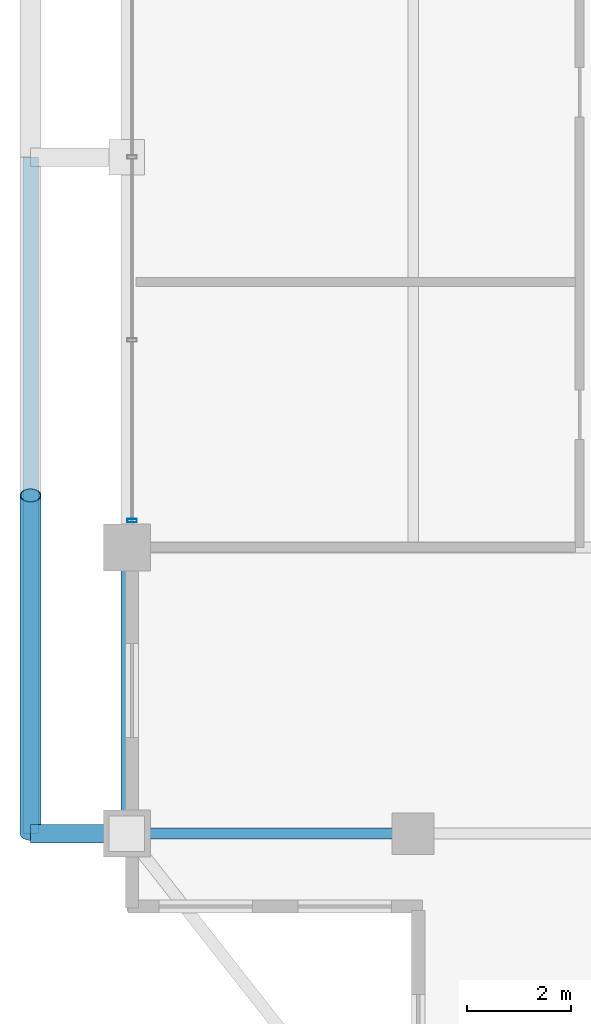
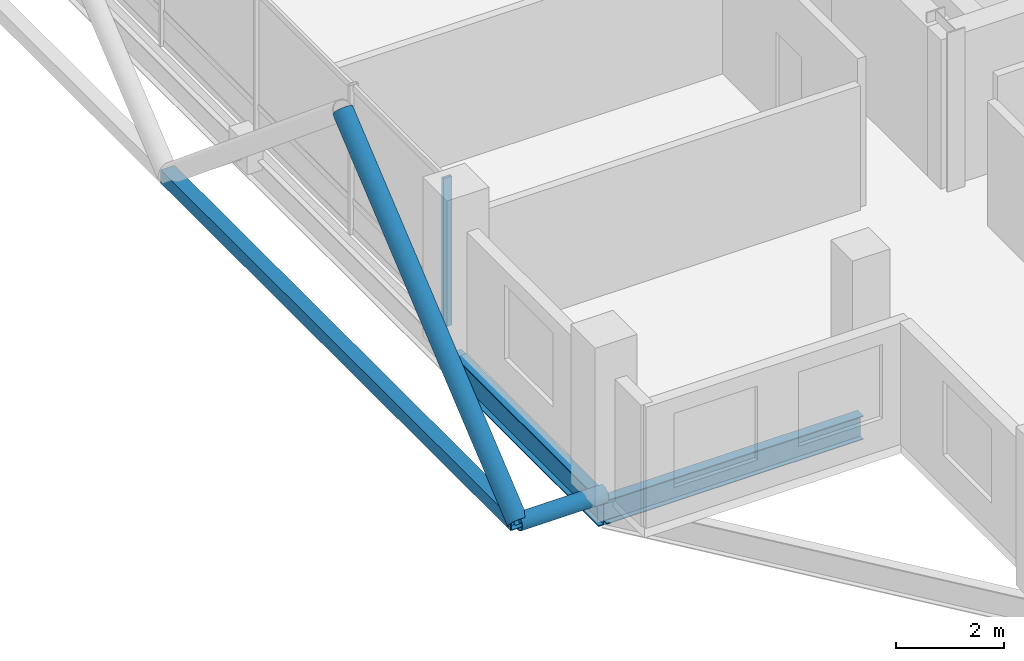
# One storey, part 3 of 24: 4 members, 2 beams, 1 element without a shape of its own.
"""IFC4 building model written with IfcOpenShell, lengths in metres."""

import ifcopenshell
import ifcopenshell.guid

model = None  # the IFC model being written
_history = None  # IfcOwnerHistory: only IFC2X3 demands one
_inside = {}  # id of a spatial element -> (the spatial element, [elements in it])
_under = {}  # id of a project, library or spatial element -> (it, [spatial elements below it])
_declared = {}  # id of a project -> (the project, [libraries it declares])
_typed = {}  # id of a type object -> (the type object, [elements of that type])
_made_of = {}  # id of a material, layer set ... -> (it, [elements and type objects made of it])


def new_model(schema):
    """Start an empty IFC model of exactly this schema.

    Asked for "IFC4X3", IfcOpenShell would pick the latest addendum, in which some entities
    have other attributes; the version numbers below select the first issue.
    IFC2X3 requires an IfcOwnerHistory on every rooted entity: one is made here for all.
    """
    global model, _history
    if schema == "IFC4X3":
        model = ifcopenshell.file(schema_version=(4, 3, 0, 0))
    else:
        model = ifcopenshell.file(schema=schema)
    _inside.clear()
    _under.clear()
    _declared.clear()
    _typed.clear()
    _made_of.clear()
    _history = None
    if model.schema == "IFC2X3":
        org = make("IfcOrganization", Name="unknown")
        user = make(
            "IfcPersonAndOrganization",
            ThePerson=make("IfcPerson", FamilyName="unknown"),
            TheOrganization=org,
        )
        app = make(
            "IfcApplication",
            ApplicationDeveloper=org,
            Version="unknown",
            ApplicationFullName="unknown",
            ApplicationIdentifier="unknown",
        )
        _history = make(
            "IfcOwnerHistory",
            OwningUser=user,
            OwningApplication=app,
            ChangeAction="ADDED",
            CreationDate=0,
        )
    return model


def make(cls, **values):
    """One entity of the class cls with the attributes given. An attribute that is None is left unset."""
    return model.create_entity(
        cls, **{name: value for name, value in values.items() if value is not None}
    )


def rooted(cls, **values):
    """An entity with a GlobalId (a new one), such as an element, a storey or a relation."""
    return make(cls, GlobalId=ifcopenshell.guid.new(), OwnerHistory=_history, **values)


def si_unit(unit_type, name, prefix=None):
    """IfcSIUnit, for example si_unit("LENGTHUNIT", "METRE", prefix="MILLI")."""
    return make("IfcSIUnit", UnitType=unit_type, Prefix=prefix, Name=name)


def assignment(units):
    """IfcUnitAssignment: the units of a project."""
    return None if units is None else make("IfcUnitAssignment", Units=units)


def point(xyz):
    """IfcCartesianPoint."""
    return None if xyz is None else make("IfcCartesianPoint", Coordinates=xyz)


def direction(xyz):
    """IfcDirection."""
    return None if xyz is None else make("IfcDirection", DirectionRatios=xyz)


def frame(location, z_axis=None, x_axis=None):
    """IfcAxis2Placement3D, a coordinate frame: its origin and axes. An axis left out is left unset."""
    return make(
        "IfcAxis2Placement3D",
        Location=point(location),
        Axis=direction(z_axis),
        RefDirection=direction(x_axis),
    )


def frame_2d(location, x_axis=None):
    """IfcAxis2Placement2D, a coordinate frame in the plane: its origin and x axis."""
    return make(
        "IfcAxis2Placement2D", Location=point(location), RefDirection=direction(x_axis)
    )


def origin():
    """The frame at (0, 0, 0) with its axes left unset."""
    return frame((0.0, 0.0, 0.0))


def origin_2d():
    """The frame at (0, 0) in the plane with its x axis left unset."""
    return frame_2d((0.0, 0.0))


def place(relative_to, where):
    """IfcLocalPlacement: puts the frame where relative to a parent placement (None: the world)."""
    return make(
        "IfcLocalPlacement", PlacementRelTo=relative_to, RelativePlacement=where
    )


def context(
    kind, dimensions, precision=None, world=None, true_north=None, identifier=None
):
    """IfcGeometricRepresentationContext, for example the 3D "Model" context."""
    return make(
        "IfcGeometricRepresentationContext",
        ContextIdentifier=identifier,
        ContextType=kind,
        CoordinateSpaceDimension=dimensions,
        Precision=precision,
        WorldCoordinateSystem=world,
        TrueNorth=true_north,
    )


def subcontext(parent, identifier, kind, view, scale=None):
    """IfcGeometricRepresentationSubContext, for example "Body" below "Model"."""
    return make(
        "IfcGeometricRepresentationSubContext",
        ContextIdentifier=identifier,
        ContextType=kind,
        ParentContext=parent,
        TargetScale=scale,
        TargetView=view,
    )


def project(units=None, contexts=None):
    """IfcProject with its units and contexts."""
    return rooted(
        "IfcProject",
        Name="project",
        RepresentationContexts=contexts,
        UnitsInContext=assignment(units),
    )


def spatial(cls, under=None, at=None, **own):
    """A site, building, storey or space (cls), placed at a placement, below another one or the project."""
    s = rooted(cls, ObjectPlacement=at, **own)
    if under is not None:
        _under.setdefault(under.id(), (under, []))[1].append(s)
    return s


def profile(cls, at=None, kind="AREA", **sizes):
    """A parametric profile (cls). Its sizes go by their IFC names, for example OverallWidth=200.0."""
    return make(cls, ProfileType=kind, Position=at, **sizes)


def hollow_rectangle(**sizes):
    """IfcRectangleHollowProfileDef."""
    return profile("IfcRectangleHollowProfileDef", **sizes)


def hollow_circle(**sizes):
    """IfcCircleHollowProfileDef."""
    return profile("IfcCircleHollowProfileDef", **sizes)


def i_section(**sizes):
    """IfcIShapeProfileDef."""
    return profile("IfcIShapeProfileDef", **sizes)


def extrude(swept, where, along, depth):
    """IfcExtrudedAreaSolid: the profile swept, set in the frame where, extruded along a direction by depth."""
    return make(
        "IfcExtrudedAreaSolid",
        SweptArea=swept,
        Position=where,
        ExtrudedDirection=direction(along),
        Depth=depth,
    )


def shape(context_of_items, identifier, shape_type, items):
    """IfcShapeRepresentation: the items that make up one representation, for example the "Body"."""
    return make(
        "IfcShapeRepresentation",
        ContextOfItems=context_of_items,
        RepresentationIdentifier=identifier,
        RepresentationType=shape_type,
        Items=items,
    )


def material(Name=None, Category=None):
    """IfcMaterial."""
    return make("IfcMaterial", Name=Name, Category=Category)


def layer(
    of_material, thickness, ventilated=None, Name=None, Category=None, Priority=None
):
    """IfcMaterialLayer: one layer of a wall or slab, of a material (None: an air gap)."""
    return make(
        "IfcMaterialLayer",
        Material=of_material,
        LayerThickness=thickness,
        IsVentilated=ventilated,
        Name=Name,
        Category=Category,
        Priority=Priority,
    )


def layer_set(layers, Name=None):
    """IfcMaterialLayerSet."""
    return make("IfcMaterialLayerSet", MaterialLayers=layers, LayerSetName=Name)


def material_profile(
    of_material, cross_section, Name=None, Category=None, Priority=None
):
    """IfcMaterialProfile: a cross section and its material."""
    return make(
        "IfcMaterialProfile",
        Name=Name,
        Material=of_material,
        Profile=cross_section,
        Priority=Priority,
        Category=Category,
    )


def profile_set(profiles, Name=None, composite=None):
    """IfcMaterialProfileSet."""
    return make(
        "IfcMaterialProfileSet",
        Name=Name,
        MaterialProfiles=profiles,
        CompositeProfile=composite,
    )


def made_of(thing, what):
    """Note that an element or type object is made of a material, layer set ...; save() writes the relation."""
    if what is not None:
        _made_of.setdefault(what.id(), (what, []))[1].append(thing)
    return thing


def type_object(cls, material=None, **own):
    """A type object (cls), such as IfcWallType, which elements share."""
    return made_of(rooted(cls, **own), material)


def element(
    cls,
    number,
    at=None,
    inside=None,
    cuts=None,
    type_object=None,
    material=None,
    context=None,
    identifier="Body",
    shape_type=None,
    held_by="IfcProductDefinitionShape",
    body=None,
    shapes=None,
    **own,
):
    """One element of the class cls, such as IfcWall. Its Tag is "e" and its number.

    at: its placement. inside: the storey or other place that contains it. cuts: it is an
    opening in that element (IfcRelVoidsElement). A single representation is given by context,
    identifier, shape_type and body (its items); several are given by shapes. held_by: the class
    of the entity that holds the representations. save() writes the other relations.
    """
    e = rooted(cls, Tag="e%d" % number, ObjectPlacement=at, **own)
    if body is not None:
        shapes = [shape(context, identifier, shape_type, body)]
    if shapes is not None:
        e.Representation = make(held_by, Representations=shapes)
    if inside is not None:
        _inside.setdefault(inside.id(), (inside, []))[1].append(e)
    if cuts is not None:
        rooted(
            "IfcRelVoidsElement", RelatingBuildingElement=cuts, RelatedOpeningElement=e
        )
    if type_object is not None:
        _typed.setdefault(type_object.id(), (type_object, []))[1].append(e)
    return made_of(e, material)


def aggregate(whole, parts):
    """IfcRelAggregates: a whole, such as a stair, and the parts it consists of."""
    return rooted("IfcRelAggregates", RelatingObject=whole, RelatedObjects=parts)


def save(model, path):
    """Write the relations noted so far, then the file.

    IfcRelAggregates (storeys below a building ...), IfcRelContainedInSpatialStructure (elements
    in a storey), IfcRelDefinesByType, IfcRelAssociatesMaterial and IfcRelDeclares: one each for
    every whole, place, type object, material and project.
    """
    for whole, parts in _under.values():
        aggregate(whole, parts)
    for where, things in _inside.values():
        rooted(
            "IfcRelContainedInSpatialStructure",
            RelatedElements=things,
            RelatingStructure=where,
        )
    for kind, things in _typed.values():
        rooted("IfcRelDefinesByType", RelatedObjects=things, RelatingType=kind)
    for what, things in _made_of.values():
        rooted("IfcRelAssociatesMaterial", RelatedObjects=things, RelatingMaterial=what)
    for by, libraries in _declared.values():
        rooted("IfcRelDeclares", RelatingContext=by, RelatedDefinitions=libraries)
    model.write(path)


model = new_model("IFC4")

# Units and contexts
model_context = context("Model", 3, precision=1e-05, world=origin(), true_north=direction((0.0, 1.0)))
body_context = subcontext(model_context, "Body", "Model", "MODEL_VIEW")
ifc_project = project(units=[si_unit("LENGTHUNIT", "METRE"), si_unit("AREAUNIT", "SQUARE_METRE"), si_unit("VOLUMEUNIT", "CUBIC_METRE"), si_unit("PLANEANGLEUNIT", "RADIAN"), si_unit("MASSUNIT", "GRAM", prefix="KILO")], contexts=[model_context])

# Site, building, storey
site_placement = place(None, origin())
site = spatial("IfcSite", under=ifc_project, at=site_placement, CompositionType="ELEMENT")
building_placement = place(site_placement, origin())
building = spatial("IfcBuilding", under=site, at=building_placement, Name="Barlavira Tower and Art Museum", CompositionType="ELEMENT")
storey_placement = place(building_placement, frame((0.0, 0.0, 272.699951171875)))
storey = spatial("IfcBuildingStorey", under=building, at=storey_placement, Name="L71", CompositionType="ELEMENT", Elevation=272.699951171875)

# Curtain wall, member
ifc_material_1 = material(Name="Low-iron coastal laminated glass", Category="glass")
ifc_layer = layer(ifc_material_1, 0.2099609375, Name="Low-iron coastal laminated glass")
ifc_layer_set = layer_set([ifc_layer], Name="Low-iron coastal laminated glass")
curtain_wall_type = type_object("IfcCurtainWallType", Name="Pale-Metal Unitised Curtain Wall Zone 4", PredefinedType="NOTDEFINED", material=ifc_layer_set)
curtain_wall_placement = place(storey_placement, origin())
curtain_wall = element("IfcCurtainWall", 1, at=curtain_wall_placement, inside=storey, type_object=curtain_wall_type, Name="L71 Curtain Wall CW4-L71-W-B3", PredefinedType="NOTDEFINED")
ifc_material_2 = material(Name="Pale anodised aluminium", Category="aluminium")
ifc_material_profile_1 = material_profile(ifc_material_2, hollow_rectangle(XDim=0.06494140625, YDim=0.179931640625, WallThickness=0.00390625, at=origin_2d()), Name="ALU-MULL 65x180x4")
ifc_profile_set_1 = profile_set([ifc_material_profile_1], Name="Pale anodised aluminium")
member_type_1 = type_object("IfcMemberType", Name="Curtain Wall Pale-Metal Mullion 65x180", PredefinedType="MULLION", material=ifc_profile_set_1)
member_1_placement = place(storey_placement, frame((-16.89990234375, -6.985107421875, 0.0), z_axis=(0.0, 0.0, 1.0), x_axis=(0.0, -1.0, 0.0)))
member_1 = element("IfcMember", 2, at=member_1_placement, type_object=member_type_1, Name="CW4-L71-W-B3 Mullion 4", PredefinedType="MULLION", context=body_context, shape_type="SweptSolid", body=[
    extrude(hollow_rectangle(XDim=0.06494140625, YDim=0.179931640625, WallThickness=0.00390625, at=origin_2d()), origin(), (0.0, 0.0, 1.0), 3.380126953125),
])
aggregate(curtain_wall, [member_1])

# Members
ifc_material_3 = material(Name="Steel S355", Category="steel")
ifc_material_profile_2 = material_profile(ifc_material_3, hollow_circle(Radius=0.203125, WallThickness=0.01611328125, at=origin_2d()), Name="CHS 406.4x16.0")
ifc_profile_set_2 = profile_set([ifc_material_profile_2], Name="Steel S355")
member_type_2 = type_object("IfcMemberType", Name="Pale-Metal Exoskeleton Diagrid Tube CHS 406x16 Steel S355", PredefinedType="BRACE", material=ifc_profile_set_2)
member_2_placement = place(storey_placement, frame((-18.85009765625, -13.0, -0.119873046875), z_axis=(0.0, 0.769196053329, 0.639012857104), x_axis=(-1.0, 0.0, 0.0)))
element("IfcMember", 3, at=member_2_placement, inside=storey, type_object=member_type_2, Name="L71 Exoskeleton Diagrid Tube W", PredefinedType="BRACE", context=body_context, shape_type="SweptSolid", body=[
    extrude(hollow_circle(Radius=0.203125, WallThickness=0.01611328125, at=origin_2d()), origin(), (0.0, 0.0, 1.0), 8.450439453125),
])
ifc_material_profile_3 = material_profile(ifc_material_3, hollow_circle(Radius=0.177734375, WallThickness=0.01611328125, at=origin_2d()), Name="CHS 355.6x16.0")
ifc_profile_set_3 = profile_set([ifc_material_profile_3], Name="Steel S355")
member_type_3 = type_object("IfcMemberType", Name="Pale-Metal Exoskeleton Tie Strut CHS 356x16 Steel S355", PredefinedType="STRUT", material=ifc_profile_set_3)
member_3_placement = place(storey_placement, frame((-18.85009765625, -13.0, -0.119873046875), z_axis=(1.0, 0.0, 0.0), x_axis=(0.0, 1.0, 0.0)))
element("IfcMember", 4, at=member_3_placement, inside=storey, type_object=member_type_3, Name="L71 Exoskeleton Tie Strut W1", PredefinedType="STRUT", context=body_context, shape_type="SweptSolid", body=[
    extrude(hollow_circle(Radius=0.177734375, WallThickness=0.01611328125, at=origin_2d()), origin(), (0.0, 0.0, 1.0), 1.85009765625),
])
ifc_material_profile_4 = material_profile(ifc_material_3, hollow_rectangle(XDim=0.300048828125, YDim=0.300048828125, WallThickness=0.01611328125, at=origin_2d()), Name="SHS 300x300x16.0")
ifc_profile_set_4 = profile_set([ifc_material_profile_4], Name="Steel S355")
member_type_4 = type_object("IfcMemberType", Name="Pale-Metal Upper Ring Strut SHS 300x300x16 Steel S355", PredefinedType="STRUT", material=ifc_profile_set_4)
member_4_placement = place(storey_placement, frame((-18.85009765625, -13.0, -0.119873046875), z_axis=(0.0, 1.0, 0.0), x_axis=(-1.0, 0.0, 0.0)))
element("IfcMember", 5, at=member_4_placement, inside=storey, type_object=member_type_4, Name="L71 Exoskeleton Ring Strut W", PredefinedType="STRUT", context=body_context, shape_type="SweptSolid", body=[
    extrude(hollow_rectangle(XDim=0.300048828125, YDim=0.300048828125, WallThickness=0.01611328125, at=origin_2d()), origin(), (0.0, 0.0, 1.0), 13.0),
])

# Beams
ifc_material_profile_5 = material_profile(ifc_material_3, i_section(OverallWidth=0.22998046875, OverallDepth=0.616943359375, WebThickness=0.01318359375, FlangeThickness=0.022216796875, at=origin_2d()), Name="W610x140.0")
ifc_profile_set_5 = profile_set([ifc_material_profile_5], Name="Steel S355")
beam_type_1 = type_object("IfcBeamType", Name="Upper Shaft Spandrel Edge Beam W610x140 Steel S355", PredefinedType="SPANDREL", material=ifc_profile_set_5)
beam_1_placement = place(storey_placement, frame((-17.0, -13.0, -0.528564453125), z_axis=(0.0, 1.0, 0.0), x_axis=(-1.0, 0.0, 0.0)))
element("IfcBeam", 6, at=beam_1_placement, inside=storey, type_object=beam_type_1, Name="L71 Spandrel 15", PredefinedType="SPANDREL", context=body_context, shape_type="SweptSolid", body=[
    extrude(i_section(OverallWidth=0.22998046875, OverallDepth=0.616943359375, WebThickness=0.01318359375, FlangeThickness=0.022216796875, at=origin_2d()), origin(), (0.0, 0.0, 1.0), 5.5),
])
ifc_material_profile_6 = material_profile(ifc_material_3, i_section(OverallWidth=0.2109375, OverallDepth=0.5390625, WebThickness=0.01171875, FlangeThickness=0.018798828125, at=origin_2d()), Name="W530x109.0")
ifc_profile_set_6 = profile_set([ifc_material_profile_6], Name="Steel S355")
beam_type_2 = type_object("IfcBeamType", Name="Zone 3-4 Primary Floor Girder W530x109 Steel S355", PredefinedType="BEAM", material=ifc_profile_set_6)
beam_2_placement = place(storey_placement, frame((-17.0, -13.0, -0.489501953125), z_axis=(1.0, 0.0, 0.0), x_axis=(0.0, 1.0, 0.0)))
element("IfcBeam", 7, at=beam_2_placement, inside=storey, type_object=beam_type_2, Name="L71 Girder I-S1", PredefinedType="BEAM", context=body_context, shape_type="SweptSolid", body=[
    extrude(i_section(OverallWidth=0.2109375, OverallDepth=0.5390625, WebThickness=0.01171875, FlangeThickness=0.018798828125, at=origin_2d()), origin(), (0.0, 0.0, 1.0), 5.5),
])

save(model, "model.ifc")
